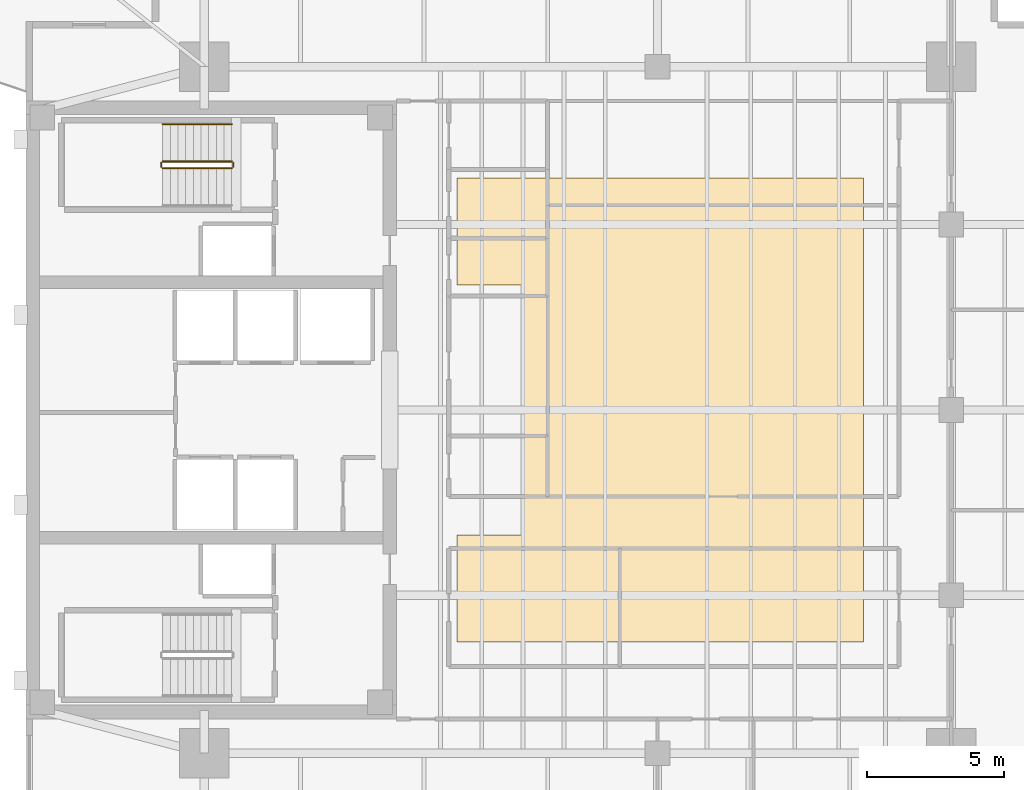
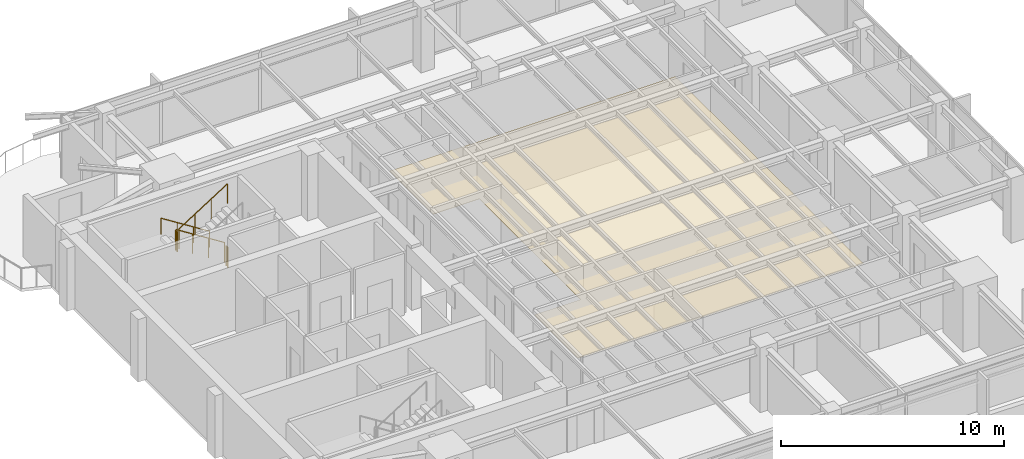
# One storey, part 13 of 14: 5 railings, 1 covering.
"""IFC4 building model written with IfcOpenShell, lengths in metres."""

from ifc_helpers import new_model, si_unit, direction, frame, origin, origin_2d, place, context, subcontext, project, spatial, polyline, circle, outline, extrude, material, layer, layer_set, type_object, element, save


model = new_model("IFC4")

# Units and contexts
model_context = context("Model", 3, precision=1e-05, world=origin(), true_north=direction((0.0, 1.0)))
body_context = subcontext(model_context, "Body", "Model", "MODEL_VIEW")
ifc_project = project(units=[si_unit("LENGTHUNIT", "METRE"), si_unit("AREAUNIT", "SQUARE_METRE"), si_unit("VOLUMEUNIT", "CUBIC_METRE"), si_unit("PLANEANGLEUNIT", "RADIAN"), si_unit("MASSUNIT", "GRAM", prefix="KILO")], contexts=[model_context])

# Site, building, storey
site_placement = place(None, origin())
site = spatial("IfcSite", under=ifc_project, at=site_placement, CompositionType="ELEMENT")
building_placement = place(site_placement, origin())
building = spatial("IfcBuilding", under=site, at=building_placement, Name="Kinhvarn Gate Tower", CompositionType="ELEMENT")
storey_placement = place(building_placement, frame((0.0, 0.0, 274.10009765625)))
storey = spatial("IfcBuildingStorey", under=building, at=storey_placement, Name="L73", CompositionType="ELEMENT", Elevation=274.10009765625)

# Covering
ifc_material_1 = material(Name="Mineral-fibre acoustic ceiling tile")
ifc_layer = layer(ifc_material_1, 0.02001953125)
ifc_layer_set = layer_set([ifc_layer], Name="Mineral-fibre acoustic ceiling tile")
covering_type = type_object("IfcCoveringType", Name="COV-CEIL-20", PredefinedType="CEILING", material=ifc_layer_set)
covering_placement = place(storey_placement, frame((0.0, 0.0, 2.64990234375)))
element("IfcCovering", 1, at=covering_placement, inside=storey, type_object=covering_type, Name="Suspended Acoustic Ceiling Tile (L73-1)", PredefinedType="CEILING", context=body_context, shape_type="SweptSolid", body=[
    extrude(outline(polyline([(35.0, 33.699951171875), (35.0, 16.800048828125), (20.199951171875, 16.800048828125), (20.199951171875, 20.699951171875), (22.60009765625, 20.699951171875), (22.60009765625, 29.800048828125), (20.199951171875, 29.800048828125), (20.199951171875, 33.699951171875), (35.0, 33.699951171875)])), origin(), (0.0, 0.0, 1.0), 0.02001953125),
])

# Railings
ifc_material_2 = material(Name="Steel S355", Category="steel")
railing_type_1 = type_object("IfcRailingType", Name="RL-ST-GRD", PredefinedType="BALUSTRADE", material=ifc_material_2)
railing_1_placement = place(storey_placement, frame((12.0, 34.300048828125, 0.177490234375)))
element("IfcRailing", 2, at=railing_1_placement, inside=storey, type_object=railing_type_1, Name="L73 ST2 stair guard 1", PredefinedType="BALUSTRADE", context=body_context, shape_type="SweptSolid", body=[
    extrude(circle(Radius=0.02392578125, at=origin_2d()), frame((0.0, 0.0, 1.076171875), z_axis=(-0.84460694969, 0.0, 0.535386869969), x_axis=(0.0, -1.0, 0.0)), (0.0, 0.0, 1.0), 2.983642578125),
    extrude(circle(Radius=0.02099609375, at=origin_2d()), origin(), (0.0, 0.0, 1.0), 1.052001953125),
    extrude(circle(Radius=0.02099609375, at=origin_2d()), frame((-0.840087890625, 0.0, 0.532470703125)), (0.0, 0.0, 1.0), 1.052001953125),
    extrude(circle(Radius=0.02099609375, at=origin_2d()), frame((-1.679931640625, 0.0, 1.06494140625)), (0.0, 0.0, 1.0), 1.052001953125),
    extrude(circle(Radius=0.02099609375, at=origin_2d()), frame((-2.52001953125, 0.0, 1.597412109375)), (0.0, 0.0, 1.0), 1.052001953125),
])
railing_2_placement = place(storey_placement, frame((9.429931640625, 34.25, 1.77490234375)))
element("IfcRailing", 3, at=railing_2_placement, inside=storey, type_object=railing_type_1, Name="L73 ST2 stair guard 2", PredefinedType="BALUSTRADE", context=body_context, shape_type="SweptSolid", body=[
    extrude(circle(Radius=0.02392578125, at=origin_2d()), frame((0.0, 0.0, 1.076171875), z_axis=(0.0, -1.0, 0.0), x_axis=(1.0, 0.0, 0.0)), (0.0, 0.0, 1.0), 0.14990234375),
    extrude(circle(Radius=0.02099609375, at=origin_2d()), origin(), (0.0, 0.0, 1.0), 1.052001953125),
    extrude(circle(Radius=0.02099609375, at=origin_2d()), frame((0.0, -0.14990234375, 0.0)), (0.0, 0.0, 1.0), 1.052001953125),
])
railing_3_placement = place(storey_placement, frame((9.47998046875, 34.050048828125, 1.952392578125)))
element("IfcRailing", 4, at=railing_3_placement, inside=storey, type_object=railing_type_1, Name="L73 ST2 stair guard 3", PredefinedType="BALUSTRADE", context=body_context, shape_type="SweptSolid", body=[
    extrude(circle(Radius=0.02392578125, at=origin_2d()), frame((0.0, 0.0, 1.076171875), z_axis=(0.84460694969, 0.0, 0.535386869969), x_axis=(0.0, 1.0, 0.0)), (0.0, 0.0, 1.0), 2.983642578125),
    extrude(circle(Radius=0.02099609375, at=origin_2d()), origin(), (0.0, 0.0, 1.0), 1.052001953125),
    extrude(circle(Radius=0.02099609375, at=origin_2d()), frame((0.840087890625, 0.0, 0.532470703125)), (0.0, 0.0, 1.0), 1.052001953125),
    extrude(circle(Radius=0.02099609375, at=origin_2d()), frame((1.679931640625, 0.0, 1.06494140625)), (0.0, 0.0, 1.0), 1.052001953125),
    extrude(circle(Radius=0.02099609375, at=origin_2d()), frame((2.52001953125, 0.0, 1.597412109375)), (0.0, 0.0, 1.0), 1.052001953125),
])
railing_4_placement = place(storey_placement, frame((12.050048828125, 34.25, 0.0)))
element("IfcRailing", 5, at=railing_4_placement, inside=storey, type_object=railing_type_1, Name="L73 ST2 stair guard 4", PredefinedType="BALUSTRADE", context=body_context, shape_type="SweptSolid", body=[
    extrude(circle(Radius=0.02392578125, at=origin_2d()), frame((0.0, 0.0, 1.076171875), z_axis=(0.0, -1.0, 0.0), x_axis=(1.0, 0.0, 0.0)), (0.0, 0.0, 1.0), 0.14990234375),
    extrude(circle(Radius=0.02099609375, at=origin_2d()), origin(), (0.0, 0.0, 1.0), 1.052001953125),
    extrude(circle(Radius=0.02099609375, at=origin_2d()), frame((0.0, -0.14990234375, 0.0)), (0.0, 0.0, 1.0), 1.052001953125),
])
railing_type_2 = type_object("IfcRailingType", Name="RL-ST-HND", PredefinedType="HANDRAIL", material=ifc_material_2)
railing_5_placement = place(storey_placement, frame((12.0, 35.64990234375, 0.177490234375)))
element("IfcRailing", 6, at=railing_5_placement, inside=storey, type_object=railing_type_2, Name="L73 ST2 stair handrail 1", PredefinedType="HANDRAIL", context=body_context, shape_type="SweptSolid", body=[
    extrude(circle(Radius=0.02392578125, at=origin_2d()), frame((0.0, 0.0, 0.8759765625), z_axis=(-0.84460694969, 0.0, 0.535386869969), x_axis=(0.0, -1.0, 0.0)), (0.0, 0.0, 1.0), 2.983642578125),
    extrude(circle(Radius=0.02099609375, at=origin_2d()), origin(), (0.0, 0.0, 1.0), 0.851806640625),
    extrude(circle(Radius=0.02099609375, at=origin_2d()), frame((-0.840087890625, 0.0, 0.532470703125)), (0.0, 0.0, 1.0), 0.851806640625),
    extrude(circle(Radius=0.02099609375, at=origin_2d()), frame((-1.679931640625, 0.0, 1.06494140625)), (0.0, 0.0, 1.0), 0.851806640625),
    extrude(circle(Radius=0.02099609375, at=origin_2d()), frame((-2.52001953125, 0.0, 1.597412109375)), (0.0, 0.0, 1.0), 0.851806640625),
])

save(model, "model.ifc")
